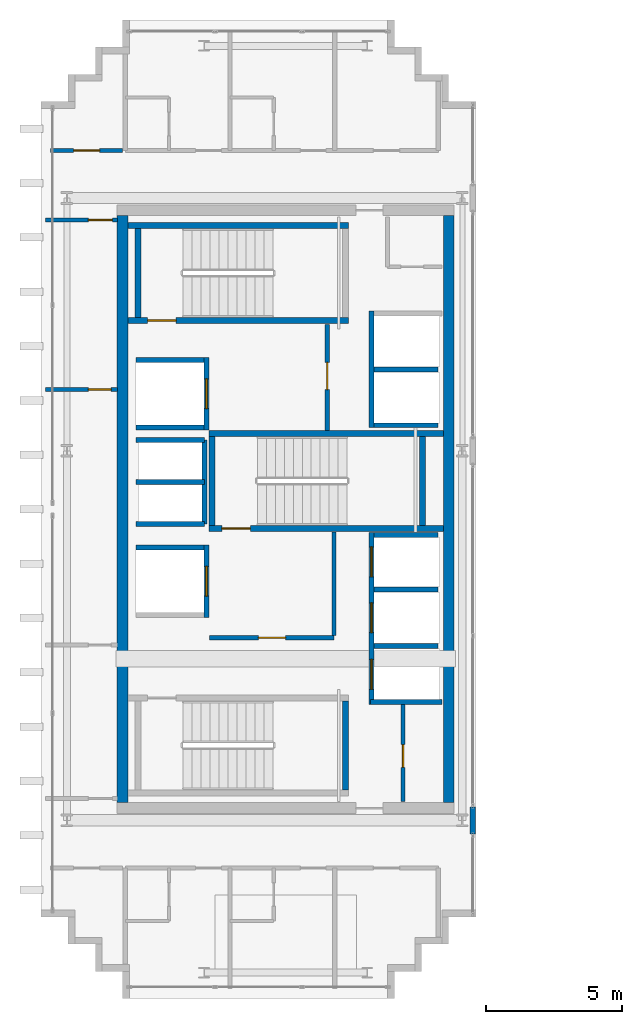
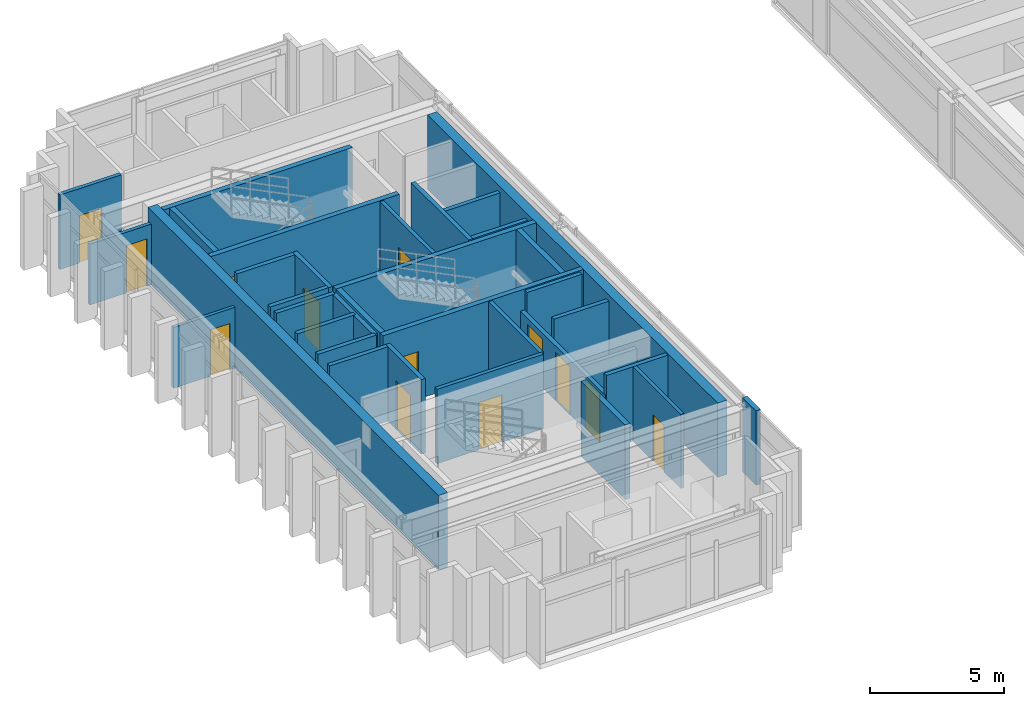
# One storey, part 20 of 25: 35 walls, 13 doors, 13 openings.
"""IFC4 building model written with IfcOpenShell, lengths in metres."""

from ifc_helpers import new_model, si_unit, direction, frame, frame_2d, origin, place, context, subcontext, project, spatial, rectangle, extrude, source, transform, mapped, material, layer, layer_set, type_object, element, fill, save


model = new_model("IFC4")

# Units and contexts
model_context = context("Model", 3, precision=1e-05, world=origin(), true_north=direction((0.0, 1.0)))
body_context = subcontext(model_context, "Body", "Model", "MODEL_VIEW")
ifc_project = project(units=[si_unit("LENGTHUNIT", "METRE"), si_unit("AREAUNIT", "SQUARE_METRE"), si_unit("VOLUMEUNIT", "CUBIC_METRE"), si_unit("PLANEANGLEUNIT", "RADIAN"), si_unit("MASSUNIT", "GRAM", prefix="KILO")], contexts=[model_context])

# Site, building, storey
site_placement = place(None, origin())
site = spatial("IfcSite", under=ifc_project, at=site_placement, CompositionType="ELEMENT")
building_placement = place(site_placement, origin())
building = spatial("IfcBuilding", under=site, at=building_placement, Name="Ocotamira Hotel", CompositionType="ELEMENT")
storey_placement = place(building_placement, frame((0.0, 0.0, 265.199951171875)))
storey = spatial("IfcBuildingStorey", under=building, at=storey_placement, Name="L67", CompositionType="ELEMENT", Elevation=265.199951171875)

# Walls
ifc_material_1 = material(Name="Concrete C50/60", Category="concrete")
ifc_layer_1 = layer(ifc_material_1, 0.39990234375)
ifc_layer_set_1 = layer_set([ifc_layer_1], Name="Concrete C50/60")
wall_type_1 = type_object("IfcWallType", Name="WL-CORE-400", PredefinedType="SHEAR", material=ifc_layer_set_1)
for number, where, z_axis, x_axis, name in (
    (1, (11.0, 15.199951171875, 0.0), (0.0, 0.0, 1.0), (0.0, 1.0, 0.0), "L67 Shear Core Wall WCORE-W"),
    (2, (23.0, 15.199951171875, 0.0), (0.0, 0.0, 1.0), (0.0, 1.0, 0.0), "L67 Shear Core Wall WCORE-E"),
):
    element("IfcWall", number, at=place(storey_placement, frame(where, z_axis=z_axis, x_axis=x_axis)), inside=storey, type_object=wall_type_1, Name=name, PredefinedType="SHEAR", context=body_context, shape_type="SweptSolid", body=[
        extrude(rectangle(XDim=21.60009765625, YDim=0.39990234375, at=frame_2d((10.800048828125, 0.0))), origin(), (0.0, 0.0, 1.0), 3.380126953125),
    ])

# Wall, opening, door
ifc_material_2 = material(Name="Acoustic double-layer fire gypsum board partition", Category="gypsum")
ifc_layer_2 = layer(ifc_material_2, 0.159912109375)
ifc_layer_set_2 = layer_set([ifc_layer_2], Name="Acoustic double-layer fire gypsum board partition")
wall_type_2 = type_object("IfcWallType", Name="WL-FIRE-160", PredefinedType="PARTITIONING", material=ifc_layer_set_2)
wall_1_placement = place(storey_placement, frame((14.199951171875, 21.27001953125, 0.0), z_axis=(0.0, 0.0, 1.0), x_axis=(1.0, 0.0, 0.0)))
wall_1 = element("IfcWall", 3, at=wall_1_placement, inside=storey, type_object=wall_type_2, Name="L67 Interior Wall PW-L67-FSAE1-S", PredefinedType="PARTITIONING", context=body_context, shape_type="SweptSolid", body=[
    extrude(rectangle(XDim=4.580078125, YDim=0.159912109375, at=frame_2d((2.2900390625, 0.0))), origin(), (0.0, 0.0, 1.0), 3.380126953125),
])
opening_1_placement = place(wall_1_placement, frame((1.800048828125, 0.0, 0.0)))
opening_1 = element("IfcOpeningElement", 4, at=opening_1_placement, cuts=wall_1, Name="Opening D-FR2", PredefinedType="OPENING", context=body_context, shape_type="SweptSolid", body=[
    extrude(rectangle(XDim=1.0, YDim=2.14990234375, at=frame_2d((0.5, 1.074951171875))), frame((0.0, 0.08984375, 0.0), z_axis=(0.0, -1.0, 0.0), x_axis=(1.0, 0.0, 0.0)), (0.0, 0.0, 1.0), 0.179931640625),
])
ifc_material_3 = material(Name="Fire-rated acoustic timber-veneer door", Category="wood")
door_type_1 = type_object("IfcDoorType", Name="DR-FIRE-1000", OperationType="NOTDEFINED", PredefinedType="DOOR", material=ifc_material_3)
shared_shape_1 = source(origin(), body_context, "Body", "SweptSolid", [
    extrude(rectangle(XDim=1.0, YDim=2.14990234375, at=frame_2d((0.5, 1.074951171875))), frame((0.0, 0.02490234375, 0.0), z_axis=(0.0, -1.0, 0.0), x_axis=(1.0, 0.0, 0.0)), (0.0, 0.0, 1.0), 0.050048828125),
])
door_1_placement = place(opening_1_placement, origin())
door_1 = element("IfcDoor", 5, at=door_1_placement, inside=storey, type_object=door_type_1, Name="L67 Door ID-L67-FSAE1-D [ID-L67-FSAE1-D]", OperationType="SINGLE_SWING_LEFT", OverallHeight=2.14990234375, OverallWidth=1.0, PredefinedType="DOOR", context=body_context, shape_type="MappedRepresentation", body=[
    mapped(shared_shape_1, transform((0.0, 0.0, 0.0), scale=1.0)),
])
fill(opening_1, door_1)

# Wall
wall_2_placement = place(storey_placement, frame((18.780029296875, 21.35009765625, 0.0), z_axis=(0.0, 0.0, 1.0), x_axis=(0.0, 1.0, 0.0)))
element("IfcWall", 6, at=wall_2_placement, inside=storey, type_object=wall_type_2, Name="L67 Interior Wall PW-L67-FSAE1-E", PredefinedType="PARTITIONING", context=body_context, shape_type="SweptSolid", body=[
    extrude(rectangle(XDim=3.809814453125, YDim=0.159912109375, at=frame_2d((1.90478515625, 0.0))), origin(), (0.0, 0.0, 1.0), 3.380126953125),
])

# Wall, opening, door
wall_3_placement = place(storey_placement, frame((18.530029296875, 28.89990234375, 0.0), z_axis=(0.0, 0.0, 1.0), x_axis=(0.0, 1.0, 0.0)))
wall_3 = element("IfcWall", 7, at=wall_3_placement, inside=storey, type_object=wall_type_2, Name="L67 Interior Wall PW-L67-FSAE2-E", PredefinedType="PARTITIONING", context=body_context, shape_type="SweptSolid", body=[
    extrude(rectangle(XDim=3.900146484375, YDim=0.159912109375, at=frame_2d((1.9501953125, 0.0))), origin(), (0.0, 0.0, 1.0), 3.380126953125),
])
opening_2_placement = place(wall_3_placement, frame((1.5, 0.0, 0.0)))
opening_2 = element("IfcOpeningElement", 8, at=opening_2_placement, cuts=wall_3, Name="Opening D-FR2", PredefinedType="OPENING", context=body_context, shape_type="SweptSolid", body=[
    extrude(rectangle(XDim=1.0, YDim=2.14990234375, at=frame_2d((0.5, 1.074951171875))), frame((0.0, 0.08984375, 0.0), z_axis=(0.0, -1.0, 0.0), x_axis=(1.0, 0.0, 0.0)), (0.0, 0.0, 1.0), 0.179931640625),
])
door_2_placement = place(opening_2_placement, origin())
door_2 = element("IfcDoor", 9, at=door_2_placement, inside=storey, type_object=door_type_1, Name="L67 Door ID-L67-FSAE2-D [ID-L67-FSAE2-D]", OperationType="SINGLE_SWING_RIGHT", OverallHeight=2.14990234375, OverallWidth=1.0, PredefinedType="DOOR", context=body_context, shape_type="MappedRepresentation", body=[
    mapped(shared_shape_1, transform((0.0, 0.0, 0.0), scale=1.0)),
])
fill(opening_2, door_2)

wall_4_placement = place(storey_placement, frame((8.35009765625, 39.199951171875, 0.0), z_axis=(0.0, 0.0, 1.0), x_axis=(1.0, 0.0, 0.0)))
wall_4 = element("IfcWall", 10, at=wall_4_placement, inside=storey, type_object=wall_type_2, Name="L67 Interior Wall PW-L67-SPCNW2-CW", PredefinedType="PARTITIONING", context=body_context, shape_type="SweptSolid", body=[
    extrude(rectangle(XDim=2.64990234375, YDim=0.159912109375, at=frame_2d((1.324951171875, 0.0))), origin(), (0.0, 0.0, 1.0), 3.380126953125),
])
opening_3_placement = place(wall_4_placement, frame((0.844970703125, 0.0, 0.0)))
opening_3 = element("IfcOpeningElement", 11, at=opening_3_placement, cuts=wall_4, Name="Opening D-SV4", PredefinedType="OPENING", context=body_context, shape_type="SweptSolid", body=[
    extrude(rectangle(XDim=0.9599609375, YDim=2.14990234375, at=frame_2d((0.47998046875, 1.074951171875))), frame((0.0, 0.08984375, 0.0), z_axis=(0.0, -1.0, 0.0), x_axis=(1.0, 0.0, 0.0)), (0.0, 0.0, 1.0), 0.179931640625),
])
ifc_material_4 = material(Name="Fire-rated accessible walnut salon door", Category="wood")
door_type_2 = type_object("IfcDoorType", Name="DR-SERV-960", OperationType="NOTDEFINED", PredefinedType="DOOR", material=ifc_material_4)
shared_shape_2 = source(origin(), body_context, "Body", "SweptSolid", [
    extrude(rectangle(XDim=0.9599609375, YDim=2.14990234375, at=frame_2d((0.47998046875, 1.074951171875))), frame((0.0, 0.02490234375, 0.0), z_axis=(0.0, -1.0, 0.0), x_axis=(1.0, 0.0, 0.0)), (0.0, 0.0, 1.0), 0.050048828125),
])
door_3_placement = place(opening_3_placement, origin())
door_3 = element("IfcDoor", 12, at=door_3_placement, inside=storey, type_object=door_type_2, Name="L67 Door ID-L67-SPCNW2-CD [ID-L67-SPCNW2-CD]", OperationType="SINGLE_SWING_LEFT", OverallHeight=2.14990234375, OverallWidth=0.9599609375, PredefinedType="DOOR", context=body_context, shape_type="MappedRepresentation", body=[
    mapped(shared_shape_2, transform((0.0, 0.0, 0.0), scale=1.0)),
])
fill(opening_3, door_3)

# Wall
ifc_material_5 = material(Name="Precast concrete C45/55", Category="concrete")
ifc_layer_3 = layer(ifc_material_5, 0.219970703125)
ifc_layer_set_3 = layer_set([ifc_layer_3], Name="Precast concrete C45/55")
wall_type_3 = type_object("IfcWallType", Name="WL-PARA-220", PredefinedType="PARAPET", material=ifc_layer_set_3)
wall_5_placement = place(storey_placement, frame((23.8798828125, 14.050048828125, 0.0), z_axis=(0.0, 0.0, 1.0), x_axis=(0.0, 1.0, 0.0)))
element("IfcWall", 13, at=wall_5_placement, inside=storey, type_object=wall_type_3, Name="L67 Split-Wing Column Spandrel Closure W1", PredefinedType="PARAPET", context=body_context, shape_type="SweptSolid", body=[
    extrude(rectangle(XDim=1.0, YDim=0.199951171875, at=frame_2d((0.5, 0.0))), origin(), (0.0, 0.0, 1.0), 3.380126953125),
])

# Wall, opening, door
ifc_material_6 = material(Name="Acoustic hospitality gypsum board partition", Category="gypsum")
ifc_layer_4 = layer(ifc_material_6, 0.14208984375)
ifc_layer_set_4 = layer_set([ifc_layer_4], Name="Acoustic hospitality gypsum board partition")
wall_type_4 = type_object("IfcWallType", Name="WL-PART-142", PredefinedType="PARTITIONING", material=ifc_layer_set_4)
wall_6_placement = place(storey_placement, frame((21.320068359375, 15.25, 0.0), z_axis=(0.0, 0.0, 1.0), x_axis=(0.0, 1.0, 0.0)))
wall_6 = element("IfcWall", 14, at=wall_6_placement, inside=storey, type_object=wall_type_4, Name="L67 Interior Wall PW-L67-WC-SE-W", PredefinedType="PARTITIONING", context=body_context, shape_type="SweptSolid", body=[
    extrude(rectangle(XDim=3.590087890625, YDim=0.14208984375, at=frame_2d((1.794921875, 0.0))), origin(), (0.0, 0.0, 1.0), 3.380126953125),
])
opening_4_placement = place(wall_6_placement, frame((1.25, 0.0, 0.0)))
opening_4 = element("IfcOpeningElement", 15, at=opening_4_placement, cuts=wall_6, Name="Opening D-SV1", PredefinedType="OPENING", context=body_context, shape_type="SweptSolid", body=[
    extrude(rectangle(XDim=0.840087890625, YDim=2.10009765625, at=frame_2d((0.419921875, 1.050048828125))), frame((0.0, 0.0810546875, 0.0), z_axis=(0.0, -1.0, 0.0), x_axis=(1.0, 0.0, 0.0)), (0.0, 0.0, 1.0), 0.162109375),
])
ifc_material_7 = material(Name="Fire-rated painted steel service door", Category="steel")
door_type_3 = type_object("IfcDoorType", Name="DR-SERV-840", OperationType="NOTDEFINED", PredefinedType="DOOR", material=ifc_material_7)
shared_shape_3 = source(origin(), body_context, "Body", "SweptSolid", [
    extrude(rectangle(XDim=0.840087890625, YDim=2.10009765625, at=frame_2d((0.419921875, 1.050048828125))), frame((0.0, 0.02490234375, 0.0), z_axis=(0.0, -1.0, 0.0), x_axis=(1.0, 0.0, 0.0)), (0.0, 0.0, 1.0), 0.050048828125),
])
door_4_placement = place(opening_4_placement, origin())
door_4 = element("IfcDoor", 16, at=door_4_placement, inside=storey, type_object=door_type_3, Name="L67 Door ID-L67-WC-SE-D [ID-L67-WC-SE-D]", OperationType="SINGLE_SWING_RIGHT", OverallHeight=2.10009765625, OverallWidth=0.840087890625, PredefinedType="DOOR", context=body_context, shape_type="MappedRepresentation", body=[
    mapped(shared_shape_3, transform((0.0, 0.0, 0.0), scale=1.0)),
])
fill(opening_4, door_4)

wall_7_placement = place(storey_placement, frame((8.159912109375, 30.39990234375, 0.0), z_axis=(0.0, 0.0, 1.0), x_axis=(1.0, 0.0, 0.0)))
wall_7 = element("IfcWall", 17, at=wall_7_placement, inside=storey, type_object=wall_type_4, Name="L67 Interior Wall PW-L67-SP2W-DV2", PredefinedType="PARTITIONING", context=body_context, shape_type="SweptSolid", body=[
    extrude(rectangle(XDim=2.66015625, YDim=0.14208984375, at=frame_2d((1.330078125, 0.0))), origin(), (0.0, 0.0, 1.0), 2.762939453125),
])
opening_5_placement = place(wall_7_placement, frame((1.580078125, 0.0, 0.0)))
opening_5 = element("IfcOpeningElement", 18, at=opening_5_placement, cuts=wall_7, Name="Opening D-SV1", PredefinedType="OPENING", context=body_context, shape_type="SweptSolid", body=[
    extrude(rectangle(XDim=0.840087890625, YDim=2.10009765625, at=frame_2d((0.419921875, 1.050048828125))), frame((0.0, 0.0810546875, 0.0), z_axis=(0.0, -1.0, 0.0), x_axis=(1.0, 0.0, 0.0)), (0.0, 0.0, 1.0), 0.162109375),
])
door_5_placement = place(opening_5_placement, origin())
door_5 = element("IfcDoor", 19, at=door_5_placement, inside=storey, type_object=door_type_3, Name="L67 Door ID-L67-SP2W-DV2D [ID-L67-SP2W-DV2D]", OperationType="SINGLE_SWING_RIGHT", OverallHeight=2.10009765625, OverallWidth=0.840087890625, PredefinedType="DOOR", context=body_context, shape_type="MappedRepresentation", body=[
    mapped(shared_shape_3, transform((0.0, 0.0, 0.0), scale=1.0)),
])
fill(opening_5, door_5)

ifc_layer_5 = layer(ifc_material_6, 0.14990234375)
ifc_layer_set_5 = layer_set([ifc_layer_5], Name="Acoustic hospitality gypsum board partition")
wall_type_5 = type_object("IfcWallType", Name="WL-PART-150", PredefinedType="PARTITIONING", material=ifc_layer_set_5)
wall_8_placement = place(storey_placement, frame((8.159912109375, 36.639892578125, 0.0), z_axis=(0.0, 0.0, 1.0), x_axis=(1.0, 0.0, 0.0)))
wall_8 = element("IfcWall", 20, at=wall_8_placement, inside=storey, type_object=wall_type_5, Name="L67 Interior Wall PW-L67-SP2W-WN", PredefinedType="PARTITIONING", context=body_context, shape_type="SweptSolid", body=[
    extrude(rectangle(XDim=2.66015625, YDim=0.14990234375, at=frame_2d((1.330078125, 0.0))), origin(), (0.0, 0.0, 1.0), 2.762939453125),
])
opening_6_placement = place(wall_8_placement, frame((1.580078125, 0.0, 0.0)))
opening_6 = element("IfcOpeningElement", 21, at=opening_6_placement, cuts=wall_8, Name="Opening D-SV2", PredefinedType="OPENING", context=body_context, shape_type="SweptSolid", body=[
    extrude(rectangle(XDim=0.8798828125, YDim=2.14990234375, at=frame_2d((0.43994140625, 1.074951171875))), frame((0.0, 0.0849609375, 0.0), z_axis=(0.0, -1.0, 0.0), x_axis=(1.0, 0.0, 0.0)), (0.0, 0.0, 1.0), 0.169921875),
])
door_type_4 = type_object("IfcDoorType", Name="DR-SERV-880", OperationType="NOTDEFINED", PredefinedType="DOOR", material=ifc_material_7)
shared_shape_4 = source(origin(), body_context, "Body", "SweptSolid", [
    extrude(rectangle(XDim=0.8798828125, YDim=2.14990234375, at=frame_2d((0.43994140625, 1.074951171875))), frame((0.0, 0.02490234375, 0.0), z_axis=(0.0, -1.0, 0.0), x_axis=(1.0, 0.0, 0.0)), (0.0, 0.0, 1.0), 0.050048828125),
])
door_6_placement = place(opening_6_placement, origin())
door_6 = element("IfcDoor", 22, at=door_6_placement, inside=storey, type_object=door_type_4, Name="L67 Door ID-L67-SP2W-DN [ID-L67-SP2W-DN]", OperationType="SINGLE_SWING_RIGHT", OverallHeight=2.14990234375, OverallWidth=0.8798828125, PredefinedType="DOOR", context=body_context, shape_type="MappedRepresentation", body=[
    mapped(shared_shape_4, transform((0.0, 0.0, 0.0), scale=1.0)),
])
fill(opening_6, door_6)

# Wall, openings, doors
ifc_material_8 = material(Name="Fire-rated gypsum shaftliner board assembly", Category="gypsum")
ifc_layer_6 = layer(ifc_material_8, 0.179931640625)
ifc_layer_set_6 = layer_set([ifc_layer_6], Name="Fire-rated gypsum shaftliner board assembly")
wall_type_6 = type_object("IfcWallType", Name="WL-SHAFT-180", PredefinedType="SOLIDWALL", material=ifc_layer_set_6)
wall_9_placement = place(storey_placement, frame((20.159912109375, 18.820068359375, 0.0), z_axis=(0.0, 0.0, 1.0), x_axis=(0.0, 1.0, 0.0)))
wall_9 = element("IfcWall", 23, at=wall_9_placement, inside=storey, type_object=wall_type_6, Name="L67 Interior Wall PW-L67-LFW-BANK-high-F", PredefinedType="SOLIDWALL", context=body_context, shape_type="SweptSolid", body=[
    extrude(rectangle(XDim=6.31982421875, YDim=0.179931640625, at=frame_2d((3.159912109375, 0.0))), origin(), (0.0, 0.0, 1.0), 2.47998046875),
])
opening_7_placement = place(wall_9_placement, frame((0.554931640625, 0.0, 0.0)))
opening_7 = element("IfcOpeningElement", 24, at=opening_7_placement, cuts=wall_9, Name="Opening LD-LF-P7", PredefinedType="OPENING", context=body_context, shape_type="SweptSolid", body=[
    extrude(rectangle(XDim=1.10009765625, YDim=2.199951171875, at=frame_2d((0.550048828125, 1.10009765625))), frame((0.0, 0.10009765625, 0.0), z_axis=(0.0, -1.0, 0.0), x_axis=(1.0, 0.0, 0.0)), (0.0, 0.0, 1.0), 0.199951171875),
])
opening_8_placement = place(wall_9_placement, frame((2.635009765625, 0.0, 0.0)))
opening_8 = element("IfcOpeningElement", 25, at=opening_8_placement, cuts=wall_9, Name="Opening LD-LF-P8", PredefinedType="OPENING", context=body_context, shape_type="SweptSolid", body=[
    extrude(rectangle(XDim=1.10009765625, YDim=2.199951171875, at=frame_2d((0.550048828125, 1.10009765625))), frame((0.0, 0.10009765625, 0.0), z_axis=(0.0, -1.0, 0.0), x_axis=(1.0, 0.0, 0.0)), (0.0, 0.0, 1.0), 0.199951171875),
])
opening_9_placement = place(wall_9_placement, frame((4.68994140625, 0.0, 0.0)))
opening_9 = element("IfcOpeningElement", 26, at=opening_9_placement, cuts=wall_9, Name="Opening LD-LF-P9", PredefinedType="OPENING", context=body_context, shape_type="SweptSolid", body=[
    extrude(rectangle(XDim=1.10009765625, YDim=2.199951171875, at=frame_2d((0.550048828125, 1.10009765625))), frame((0.0, 0.10009765625, 0.0), z_axis=(0.0, -1.0, 0.0), x_axis=(1.0, 0.0, 0.0)), (0.0, 0.0, 1.0), 0.199951171875),
])
ifc_material_9 = material(Name="Brushed pale-metal stainless elevator landing door", Category="steel")
door_type_5 = type_object("IfcDoorType", Name="DR-LIFT-1100", OperationType="NOTDEFINED", PredefinedType="DOOR", material=ifc_material_9)
shared_shape_5 = source(origin(), body_context, "Body", "SweptSolid", [
    extrude(rectangle(XDim=1.10009765625, YDim=2.199951171875, at=frame_2d((0.550048828125, 1.10009765625))), frame((0.0, 0.02490234375, 0.0), z_axis=(0.0, -1.0, 0.0), x_axis=(1.0, 0.0, 0.0)), (0.0, 0.0, 1.0), 0.050048828125),
])
door_7_placement = place(opening_7_placement, origin())
door_7 = element("IfcDoor", 27, at=door_7_placement, inside=storey, type_object=door_type_5, Name="L67 Landing Door LD-LF-P7 [ID-L67-LD-LF-P7]", OperationType="DOUBLE_DOOR_SLIDING", OverallHeight=2.199951171875, OverallWidth=1.10009765625, PredefinedType="DOOR", context=body_context, shape_type="MappedRepresentation", body=[
    mapped(shared_shape_5, transform((0.0, 0.0, 0.0), scale=1.0)),
])
fill(opening_7, door_7)
door_8_placement = place(opening_8_placement, origin())
door_8 = element("IfcDoor", 28, at=door_8_placement, inside=storey, type_object=door_type_5, Name="L67 Landing Door LD-LF-P8 [ID-L67-LD-LF-P8]", OperationType="DOUBLE_DOOR_SLIDING", OverallHeight=2.199951171875, OverallWidth=1.10009765625, PredefinedType="DOOR", context=body_context, shape_type="MappedRepresentation", body=[
    mapped(shared_shape_5, transform((0.0, 0.0, 0.0), scale=1.0)),
])
fill(opening_8, door_8)
door_9_placement = place(opening_9_placement, origin())
door_9 = element("IfcDoor", 29, at=door_9_placement, inside=storey, type_object=door_type_5, Name="L67 Landing Door LD-LF-P9 [ID-L67-LD-LF-P9]", OperationType="DOUBLE_DOOR_SLIDING", OverallHeight=2.199951171875, OverallWidth=1.10009765625, PredefinedType="DOOR", context=body_context, shape_type="MappedRepresentation", body=[
    mapped(shared_shape_5, transform((0.0, 0.0, 0.0), scale=1.0)),
])
fill(opening_9, door_9)

# Walls
wall_10_placement = place(storey_placement, frame((20.1201171875, 18.909912109375, 0.0), z_axis=(0.0, 0.0, 1.0), x_axis=(1.0, 0.0, 0.0)))
element("IfcWall", 30, at=wall_10_placement, inside=storey, type_object=wall_type_6, Name="L67 Interior Wall PW-L67-LFW-BANK-high-S", PredefinedType="SOLIDWALL", context=body_context, shape_type="SweptSolid", body=[
    extrude(rectangle(XDim=2.6298828125, YDim=0.179931640625, at=frame_2d((1.31494140625, 0.0))), origin(), (0.0, 0.0, 1.0), 3.380126953125),
])
wall_11_placement = place(storey_placement, frame((20.25, 25.050048828125, 0.0), z_axis=(0.0, 0.0, 1.0), x_axis=(1.0, 0.0, 0.0)))
element("IfcWall", 31, at=wall_11_placement, inside=storey, type_object=wall_type_6, Name="L67 Interior Wall PW-L67-LFW-BANK-high-N", PredefinedType="SOLIDWALL", context=body_context, shape_type="SweptSolid", body=[
    extrude(rectangle(XDim=2.360107421875, YDim=0.179931640625, at=frame_2d((1.18017578125, 0.0))), origin(), (0.0, 0.0, 1.0), 3.380126953125),
])
wall_12_placement = place(storey_placement, frame((20.25, 20.965087890625, 0.0), z_axis=(0.0, 0.0, 1.0), x_axis=(1.0, 0.0, 0.0)))
element("IfcWall", 32, at=wall_12_placement, inside=storey, type_object=wall_type_6, Name="L67 Interior Wall PW-L67-LFW-DIV-LF-P7", PredefinedType="SOLIDWALL", context=body_context, shape_type="SweptSolid", body=[
    extrude(rectangle(XDim=2.360107421875, YDim=0.179931640625, at=frame_2d((1.18017578125, 0.0))), origin(), (0.0, 0.0, 1.0), 2.47998046875),
])
wall_13_placement = place(storey_placement, frame((20.25, 23.044921875, 0.0), z_axis=(0.0, 0.0, 1.0), x_axis=(1.0, 0.0, 0.0)))
element("IfcWall", 33, at=wall_13_placement, inside=storey, type_object=wall_type_6, Name="L67 Interior Wall PW-L67-LFW-DIV-LF-P8", PredefinedType="SOLIDWALL", context=body_context, shape_type="SweptSolid", body=[
    extrude(rectangle(XDim=2.360107421875, YDim=0.179931640625, at=frame_2d((1.18017578125, 0.0))), origin(), (0.0, 0.0, 1.0), 3.380126953125),
])
wall_14_placement = place(storey_placement, frame((20.159912109375, 29.0, 0.0), z_axis=(0.0, 0.0, 1.0), x_axis=(0.0, 1.0, 0.0)))
element("IfcWall", 34, at=wall_14_placement, inside=storey, type_object=wall_type_6, Name="L67 Interior Wall PW-L67-LFW-BANK-obs-F", PredefinedType="SOLIDWALL", context=body_context, shape_type="SweptSolid", body=[
    extrude(rectangle(XDim=4.2900390625, YDim=0.179931640625, at=frame_2d((2.14501953125, 0.0))), origin(), (0.0, 0.0, 1.0), 3.380126953125),
])
for number, where, z_axis, x_axis, name in (
    (35, (20.25, 29.090087890625, 0.0), (0.0, 0.0, 1.0), (1.0, 0.0, 0.0), "L67 Interior Wall PW-L67-LFW-BANK-obs-S"),
    (36, (20.25, 31.14501953125, 0.0), (0.0, 0.0, 1.0), (1.0, 0.0, 0.0), "L67 Interior Wall PW-L67-LFW-DIV-LF-OBS1"),
):
    element("IfcWall", number, at=place(storey_placement, frame(where, z_axis=z_axis, x_axis=x_axis)), inside=storey, type_object=wall_type_6, Name=name, PredefinedType="SOLIDWALL", context=body_context, shape_type="SweptSolid", body=[
        extrude(rectangle(XDim=2.360107421875, YDim=0.179931640625, at=frame_2d((1.18017578125, 0.0))), origin(), (0.0, 0.0, 1.0), 3.380126953125),
    ])
wall_15_placement = place(storey_placement, frame((11.5, 24.590087890625, 0.0), z_axis=(0.0, 0.0, 1.0), x_axis=(1.0, 0.0, 0.0)))
element("IfcWall", 37, at=wall_15_placement, inside=storey, type_object=wall_type_6, Name="L67 Interior Wall PW-L67-LFW-LF-FSAE1-N", PredefinedType="SOLIDWALL", context=body_context, shape_type="SweptSolid", body=[
    extrude(rectangle(XDim=2.5, YDim=0.179931640625, at=frame_2d((1.25, 0.0))), origin(), (0.0, 0.0, 1.0), 3.380126953125),
])

# Wall, opening, door
wall_16_placement = place(storey_placement, frame((14.090087890625, 22.02001953125, 0.0), z_axis=(0.0, 0.0, 1.0), x_axis=(0.0, 1.0, 0.0)))
wall_16 = element("IfcWall", 38, at=wall_16_placement, inside=storey, type_object=wall_type_6, Name="L67 Interior Wall PW-L67-LFW-LF-FSAE1-E", PredefinedType="SOLIDWALL", context=body_context, shape_type="SweptSolid", body=[
    extrude(rectangle(XDim=2.659912109375, YDim=0.179931640625, at=frame_2d((1.330078125, 0.0))), origin(), (0.0, 0.0, 1.0), 3.380126953125),
])
opening_10_placement = place(wall_16_placement, frame((0.780029296875, 0.0, 0.0)))
opening_10 = element("IfcOpeningElement", 39, at=opening_10_placement, cuts=wall_16, Name="Opening LD-LF-FSAE1", PredefinedType="OPENING", context=body_context, shape_type="SweptSolid", body=[
    extrude(rectangle(XDim=1.10009765625, YDim=2.199951171875, at=frame_2d((0.550048828125, 1.10009765625))), frame((0.0, 0.10009765625, 0.0), z_axis=(0.0, -1.0, 0.0), x_axis=(1.0, 0.0, 0.0)), (0.0, 0.0, 1.0), 0.199951171875),
])
door_10_placement = place(opening_10_placement, origin())
door_10 = element("IfcDoor", 40, at=door_10_placement, inside=storey, type_object=door_type_5, Name="L67 Landing Door LD-LF-FSAE1 [ID-L67-LD-LF-FSAE1]", OperationType="DOUBLE_DOOR_SLIDING", OverallHeight=2.199951171875, OverallWidth=1.10009765625, PredefinedType="DOOR", context=body_context, shape_type="MappedRepresentation", body=[
    mapped(shared_shape_5, transform((0.0, 0.0, 0.0), scale=1.0)),
])
fill(opening_10, door_10)

# Walls
for number, where, z_axis, x_axis, name in (
    (41, (11.5, 29.010009765625, 0.0), (0.0, 0.0, 1.0), (1.0, 0.0, 0.0), "L67 Interior Wall PW-L67-LFW-LF-FSAE2-S"),
    (42, (11.5, 31.489990234375, 0.0), (0.0, 0.0, 1.0), (1.0, 0.0, 0.0), "L67 Interior Wall PW-L67-LFW-LF-FSAE2-N"),
):
    element("IfcWall", number, at=place(storey_placement, frame(where, z_axis=z_axis, x_axis=x_axis)), inside=storey, type_object=wall_type_6, Name=name, PredefinedType="SOLIDWALL", context=body_context, shape_type="SweptSolid", body=[
        extrude(rectangle(XDim=2.5, YDim=0.179931640625, at=frame_2d((1.25, 0.0))), origin(), (0.0, 0.0, 1.0), 3.380126953125),
    ])

# Wall, opening, door
wall_17_placement = place(storey_placement, frame((14.090087890625, 28.919921875, 0.0), z_axis=(0.0, 0.0, 1.0), x_axis=(0.0, 1.0, 0.0)))
wall_17 = element("IfcWall", 43, at=wall_17_placement, inside=storey, type_object=wall_type_6, Name="L67 Interior Wall PW-L67-LFW-LF-FSAE2-E", PredefinedType="SOLIDWALL", context=body_context, shape_type="SweptSolid", body=[
    extrude(rectangle(XDim=2.66015625, YDim=0.179931640625, at=frame_2d((1.330078125, 0.0))), origin(), (0.0, 0.0, 1.0), 3.380126953125),
])
opening_11_placement = place(wall_17_placement, frame((0.780029296875, 0.0, 0.0)))
opening_11 = element("IfcOpeningElement", 44, at=opening_11_placement, cuts=wall_17, Name="Opening LD-LF-FSAE2", PredefinedType="OPENING", context=body_context, shape_type="SweptSolid", body=[
    extrude(rectangle(XDim=1.10009765625, YDim=2.199951171875, at=frame_2d((0.550048828125, 1.10009765625))), frame((0.0, 0.10009765625, 0.0), z_axis=(0.0, -1.0, 0.0), x_axis=(1.0, 0.0, 0.0)), (0.0, 0.0, 1.0), 0.199951171875),
])
door_11_placement = place(opening_11_placement, origin())
door_11 = element("IfcDoor", 45, at=door_11_placement, inside=storey, type_object=door_type_5, Name="L67 Landing Door LD-LF-FSAE2 [ID-L67-LD-LF-FSAE2]", OperationType="DOUBLE_DOOR_SLIDING", OverallHeight=2.199951171875, OverallWidth=1.10009765625, PredefinedType="DOOR", context=body_context, shape_type="MappedRepresentation", body=[
    mapped(shared_shape_5, transform((0.0, 0.0, 0.0), scale=1.0)),
])
fill(opening_11, door_11)

# Walls
for number, where, z_axis, x_axis, name in (
    (46, (11.5, 25.4599609375, 0.0), (0.0, 0.0, 1.0), (1.0, 0.0, 0.0), "L67 Interior Wall PW-L67-RSW-S"),
    (47, (11.5, 27.0, 0.0), (0.0, 0.0, 1.0), (1.0, 0.0, 0.0), "L67 Interior Wall PW-L67-RSW-MID"),
    (48, (11.5, 28.5400390625, 0.0), (0.0, 0.0, 1.0), (1.0, 0.0, 0.0), "L67 Interior Wall PW-L67-RSW-N"),
):
    element("IfcWall", number, at=place(storey_placement, frame(where, z_axis=z_axis, x_axis=x_axis)), inside=storey, type_object=wall_type_6, Name=name, PredefinedType="SOLIDWALL", context=body_context, shape_type="SweptSolid", body=[
        extrude(rectangle(XDim=2.510009765625, YDim=0.179931640625, at=frame_2d((1.2548828125, 0.0))), origin(), (0.0, 0.0, 1.0), 3.380126953125),
    ])
wall_18_placement = place(storey_placement, frame((14.010009765625, 25.4599609375, 0.0), z_axis=(0.0, 0.0, 1.0), x_axis=(0.0, 1.0, 0.0)))
element("IfcWall", 49, at=wall_18_placement, inside=storey, type_object=wall_type_6, Name="L67 Interior Wall PW-L67-RSW-E", PredefinedType="SOLIDWALL", context=body_context, shape_type="SweptSolid", body=[
    extrude(rectangle(XDim=3.080078125, YDim=0.179931640625, at=frame_2d((1.5400390625, 0.0))), origin(), (0.0, 0.0, 1.0), 3.380126953125),
])
ifc_layer_7 = layer(ifc_material_1, 0.219970703125)
ifc_layer_set_7 = layer_set([ifc_layer_7], Name="Concrete C50/60")
wall_type_7 = type_object("IfcWallType", Name="WL-STAIR-220", PredefinedType="SHEAR", material=ifc_layer_set_7)
wall_19_placement = place(storey_placement, frame((19.199951171875, 15.669921875, 0.0), z_axis=(0.0, 0.0, 1.0), x_axis=(0.0, 1.0, 0.0)))
element("IfcWall", 50, at=wall_19_placement, inside=storey, type_object=wall_type_7, Name="L67 Stair Shaft Structural Wall ST-1-E", PredefinedType="SHEAR", context=body_context, shape_type="SweptSolid", body=[
    extrude(rectangle(XDim=3.280029296875, YDim=0.219970703125, at=frame_2d((1.64013671875, 0.0))), origin(), (0.0, 0.0, 1.0), 3.400146484375),
])

# Wall, opening, door
wall_20_placement = place(storey_placement, frame((11.199951171875, 32.93994140625, 0.0), z_axis=(0.0, 0.0, 1.0), x_axis=(1.0, 0.0, 0.0)))
wall_20 = element("IfcWall", 51, at=wall_20_placement, inside=storey, type_object=wall_type_7, Name="L67 Stair Shaft Structural Wall ST-2-S", PredefinedType="SHEAR", context=body_context, shape_type="SweptSolid", body=[
    extrude(rectangle(XDim=8.110107421875, YDim=0.219970703125, at=frame_2d((4.05517578125, 0.0))), origin(), (0.0, 0.0, 1.0), 3.400146484375),
])
opening_12_placement = place(wall_20_placement, frame((0.719970703125, 0.0, 0.0)))
opening_12 = element("IfcOpeningElement", 52, at=opening_12_placement, cuts=wall_20, Name="Opening D-ST2", PredefinedType="OPENING", context=body_context, shape_type="SweptSolid", body=[
    extrude(rectangle(XDim=1.050048828125, YDim=2.14990234375, at=frame_2d((0.52490234375, 1.074951171875))), frame((0.0, 0.1201171875, 0.0), z_axis=(0.0, -1.0, 0.0), x_axis=(1.0, 0.0, 0.0)), (0.0, 0.0, 1.0), 0.239990234375),
])
ifc_material_10 = material(Name="Insulated painted hollow-metal fire exit door", Category="steel")
door_type_6 = type_object("IfcDoorType", Name="DR-STAIR-1050", OperationType="NOTDEFINED", PredefinedType="DOOR", material=ifc_material_10)
shared_shape_6 = source(origin(), body_context, "Body", "SweptSolid", [
    extrude(rectangle(XDim=1.050048828125, YDim=2.14990234375, at=frame_2d((0.52490234375, 1.074951171875))), frame((0.0, 0.02490234375, 0.0), z_axis=(0.0, -1.0, 0.0), x_axis=(1.0, 0.0, 0.0)), (0.0, 0.0, 1.0), 0.050048828125),
])
door_12_placement = place(opening_12_placement, origin())
door_12 = element("IfcDoor", 53, at=door_12_placement, inside=storey, type_object=door_type_6, Name="L67 Door ID-L67-STD-ST-2 [ID-L67-STD-ST-2]", OperationType="SINGLE_SWING_LEFT", OverallHeight=2.14990234375, OverallWidth=1.050048828125, PredefinedType="DOOR", context=body_context, shape_type="MappedRepresentation", body=[
    mapped(shared_shape_6, transform((0.0, 0.0, 0.0), scale=1.0)),
])
fill(opening_12, door_12)

# Walls
wall_21_placement = place(storey_placement, frame((11.199951171875, 36.43994140625, 0.0), z_axis=(0.0, 0.0, 1.0), x_axis=(1.0, 0.0, 0.0)))
element("IfcWall", 54, at=wall_21_placement, inside=storey, type_object=wall_type_7, Name="L67 Stair Shaft Structural Wall ST-2-N", PredefinedType="SHEAR", context=body_context, shape_type="SweptSolid", body=[
    extrude(rectangle(XDim=8.110107421875, YDim=0.219970703125, at=frame_2d((4.05517578125, 0.0))), origin(), (0.0, 0.0, 1.0), 3.400146484375),
])
wall_22_placement = place(storey_placement, frame((11.56005859375, 33.050048828125, 0.0), z_axis=(0.0, 0.0, 1.0), x_axis=(0.0, 1.0, 0.0)))
element("IfcWall", 55, at=wall_22_placement, inside=storey, type_object=wall_type_7, Name="L67 Stair Shaft Structural Wall ST-2-W", PredefinedType="SHEAR", context=body_context, shape_type="SweptSolid", body=[
    extrude(rectangle(XDim=3.280029296875, YDim=0.219970703125, at=frame_2d((1.64013671875, 0.0))), origin(), (0.0, 0.0, 1.0), 3.400146484375),
])

# Wall, opening, door
wall_23_placement = place(storey_placement, frame((14.179931640625, 25.2900390625, 0.0), z_axis=(0.0, 0.0, 1.0), x_axis=(1.0, 0.0, 0.0)))
wall_23 = element("IfcWall", 56, at=wall_23_placement, inside=storey, type_object=wall_type_7, Name="L67 Stair Shaft Structural Wall ST-3-S", PredefinedType="SHEAR", context=body_context, shape_type="SweptSolid", body=[
    extrude(rectangle(XDim=8.6201171875, YDim=0.219970703125, at=frame_2d((4.31005859375, 0.0))), origin(), (0.0, 0.0, 1.0), 3.400146484375),
])
opening_13_placement = place(wall_23_placement, frame((0.469970703125, 0.0, 0.0)))
opening_13 = element("IfcOpeningElement", 57, at=opening_13_placement, cuts=wall_23, Name="Opening D-ST2", PredefinedType="OPENING", context=body_context, shape_type="SweptSolid", body=[
    extrude(rectangle(XDim=1.050048828125, YDim=2.14990234375, at=frame_2d((0.52490234375, 1.074951171875))), frame((0.0, 0.1201171875, 0.0), z_axis=(0.0, -1.0, 0.0), x_axis=(1.0, 0.0, 0.0)), (0.0, 0.0, 1.0), 0.239990234375),
])
door_13_placement = place(opening_13_placement, origin())
door_13 = element("IfcDoor", 58, at=door_13_placement, inside=storey, type_object=door_type_6, Name="L67 Door ID-L67-STD-ST-3 [ID-L67-STD-ST-3]", OperationType="SINGLE_SWING_RIGHT", OverallHeight=2.14990234375, OverallWidth=1.050048828125, PredefinedType="DOOR", context=body_context, shape_type="MappedRepresentation", body=[
    mapped(shared_shape_6, transform((0.0, 0.0, 0.0), scale=1.0)),
])
fill(opening_13, door_13)

# Walls
wall_24_placement = place(storey_placement, frame((14.179931640625, 28.7900390625, 0.0), z_axis=(0.0, 0.0, 1.0), x_axis=(1.0, 0.0, 0.0)))
element("IfcWall", 59, at=wall_24_placement, inside=storey, type_object=wall_type_7, Name="L67 Stair Shaft Structural Wall ST-3-N", PredefinedType="SHEAR", context=body_context, shape_type="SweptSolid", body=[
    extrude(rectangle(XDim=8.6201171875, YDim=0.219970703125, at=frame_2d((4.31005859375, 0.0))), origin(), (0.0, 0.0, 1.0), 3.400146484375),
])
for number, where, z_axis, x_axis, name in (
    (60, (14.2900390625, 25.39990234375, 0.0), (0.0, 0.0, 1.0), (0.0, 1.0, 0.0), "L67 Stair Shaft Structural Wall ST-3-W"),
    (61, (22.030029296875, 25.39990234375, 0.0), (0.0, 0.0, 1.0), (0.0, 1.0, 0.0), "L67 Stair Shaft Structural Wall ST-3-E"),
):
    element("IfcWall", number, at=place(storey_placement, frame(where, z_axis=z_axis, x_axis=x_axis)), inside=storey, type_object=wall_type_7, Name=name, PredefinedType="SHEAR", context=body_context, shape_type="SweptSolid", body=[
        extrude(rectangle(XDim=3.280029296875, YDim=0.219970703125, at=frame_2d((1.64013671875, 0.0))), origin(), (0.0, 0.0, 1.0), 3.400146484375),
    ])

save(model, "model.ifc")
